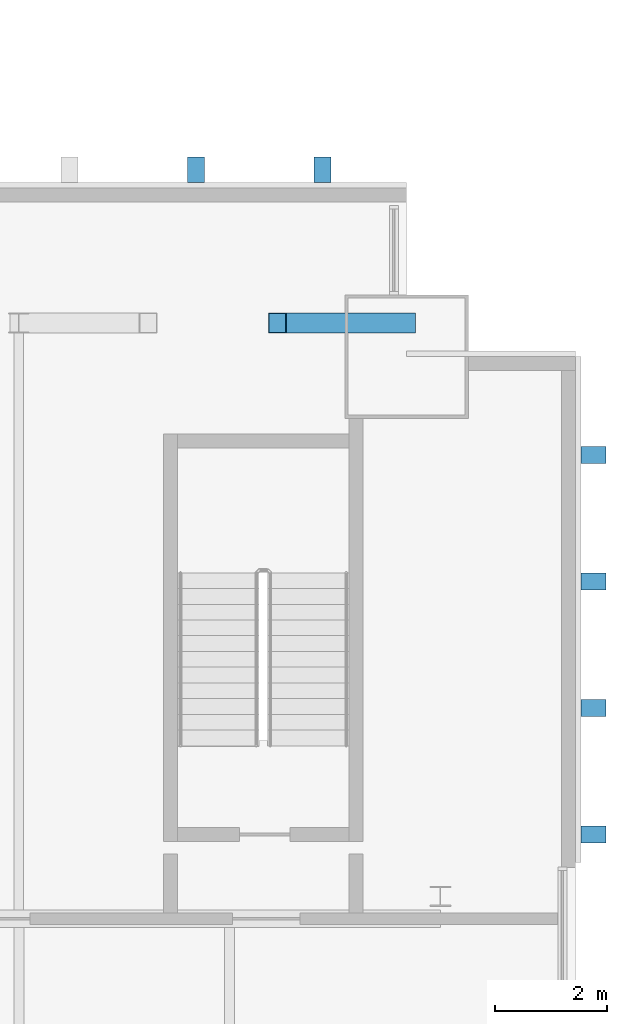
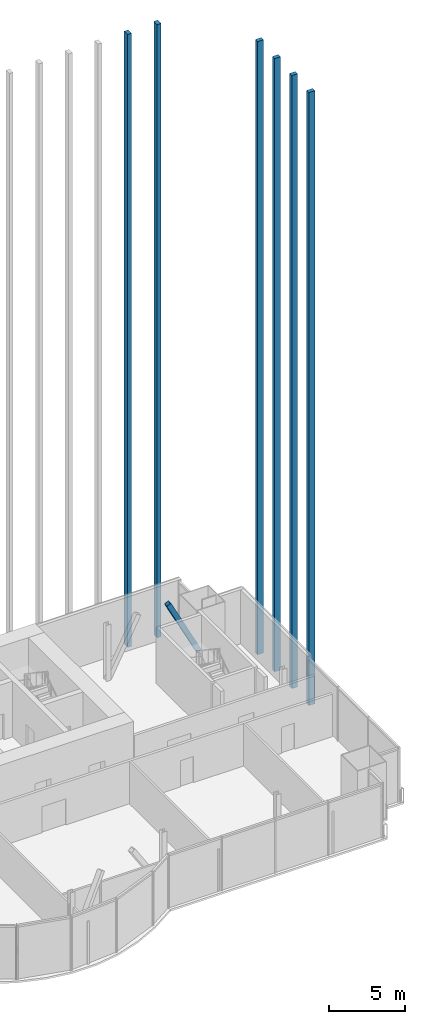
# One storey, part 13 of 22: 7 members, 2 elements without a shape of their own.
"""IFC4 building model written with IfcOpenShell, lengths in metres."""

from ifc_helpers import new_model, si_unit, direction, frame, origin, origin_2d, place, context, subcontext, project, spatial, rectangle, hollow_rectangle, extrude, material, material_profile, profile_set, type_object, element, aggregate, save


model = new_model("IFC4")

# Units and contexts
model_context = context("Model", 3, precision=1e-05, world=origin(), true_north=direction((0.0, 1.0)))
body_context = subcontext(model_context, "Body", "Model", "MODEL_VIEW")
ifc_project = project(units=[si_unit("LENGTHUNIT", "METRE"), si_unit("AREAUNIT", "SQUARE_METRE"), si_unit("VOLUMEUNIT", "CUBIC_METRE"), si_unit("PLANEANGLEUNIT", "RADIAN"), si_unit("MASSUNIT", "GRAM", prefix="KILO")], contexts=[model_context])

# Site, building, storey
site_placement = place(None, origin())
site = spatial("IfcSite", under=ifc_project, at=site_placement, CompositionType="ELEMENT")
building_placement = place(site_placement, origin())
building = spatial("IfcBuilding", under=site, at=building_placement, Name="Bicima Exchange Tower", CompositionType="ELEMENT")
storey_placement = place(building_placement, frame((0.0, 0.0, 293.0)))
storey = spatial("IfcBuildingStorey", under=building, at=storey_placement, Name="L66", CompositionType="ELEMENT", Elevation=293.0)

# Member
ifc_material_1 = material(Name="Steel ASTM A572 Gr 50", Category="steel")
ifc_material_profile_1 = material_profile(ifc_material_1, hollow_rectangle(XDim=0.355712890625, YDim=0.355712890625, WallThickness=0.01171875, at=origin_2d()))
ifc_profile_set_1 = profile_set([ifc_material_profile_1], Name="Steel ASTM A572 Gr 50")
member_type_1 = type_object("IfcMemberType", Name="Mega brace HSS14x14x1/2", PredefinedType="BRACE", material=ifc_profile_set_1)
member_1_placement = place(storey_placement, frame((33.0, -2.39990234375, 0.0), z_axis=(-0.455118720355, 0.0, 0.890430766754), x_axis=(0.0, -1.0, 0.0)))
element("IfcMember", 1, at=member_1_placement, inside=storey, type_object=member_type_1, Name="Mega brace rear", PredefinedType="BRACE", context=body_context, shape_type="SweptSolid", body=[
    extrude(hollow_rectangle(XDim=0.355712890625, YDim=0.355712890625, WallThickness=0.01171875, at=origin_2d()), origin(), (0.0, 0.0, 1.0), 5.0537109375),
])

# Curtain wall, members
ifc_material_2 = material(Name="Anodised bronze aluminium", Category="aluminium")
curtain_wall_type = type_object("IfcCurtainWallType", Name="Rear blade screen", PredefinedType="NOTDEFINED", material=ifc_material_2)
curtain_wall_1_placement = place(storey_placement, origin())
curtain_wall_1 = element("IfcCurtainWall", 2, at=curtain_wall_1_placement, inside=storey, type_object=curtain_wall_type, Name="Rear blade screen L66-L76 E", PredefinedType="NOTDEFINED")
ifc_material_profile_2 = material_profile(ifc_material_2, rectangle(XDim=0.449951171875, YDim=0.300048828125, at=origin_2d()))
ifc_profile_set_2 = profile_set([ifc_material_profile_2], Name="Anodised bronze aluminium")
member_type_2 = type_object("IfcMemberType", Name="Rear blade fin 450 x 300", PredefinedType="USERDEFINED", material=ifc_profile_set_2)
member_2_placement = place(storey_placement, frame((29.25, 0.324951171875, 0.0), z_axis=(0.0, 0.0, 1.0), x_axis=(0.0, 1.0, 0.0)))
member_2 = element("IfcMember", 3, at=member_2_placement, type_object=member_type_2, Name="Rear blade fin L66-L76 18", ObjectType="FIN", PredefinedType="USERDEFINED", context=body_context, shape_type="SweptSolid", body=[
    extrude(rectangle(XDim=0.449951171875, YDim=0.300048828125, at=origin_2d()), origin(), (0.0, 0.0, 1.0), 49.300048828125),
])
member_3_placement = place(storey_placement, frame((31.5, 0.324951171875, 0.0), z_axis=(0.0, 0.0, 1.0), x_axis=(0.0, 1.0, 0.0)))
member_3 = element("IfcMember", 4, at=member_3_placement, type_object=member_type_2, Name="Rear blade fin L66-L76 19", ObjectType="FIN", PredefinedType="USERDEFINED", context=body_context, shape_type="SweptSolid", body=[
    extrude(rectangle(XDim=0.449951171875, YDim=0.300048828125, at=origin_2d()), origin(), (0.0, 0.0, 1.0), 49.300048828125),
])
aggregate(curtain_wall_1, [member_2, member_3])

curtain_wall_2_placement = place(storey_placement, origin())
curtain_wall_2 = element("IfcCurtainWall", 5, at=curtain_wall_2_placement, inside=storey, type_object=curtain_wall_type, Name="End blade screen L66-L76", PredefinedType="NOTDEFINED")
member_4_placement = place(storey_placement, frame((36.324951171875, -11.5, 0.0), z_axis=(0.0, 0.0, 1.0), x_axis=(1.0, 0.0, 0.0)))
member_4 = element("IfcMember", 6, at=member_4_placement, type_object=member_type_2, Name="End blade fin L66-L76 1", ObjectType="FIN", PredefinedType="USERDEFINED", context=body_context, shape_type="SweptSolid", body=[
    extrude(rectangle(XDim=0.449951171875, YDim=0.300048828125, at=origin_2d()), origin(), (0.0, 0.0, 1.0), 49.300048828125),
])
member_5_placement = place(storey_placement, frame((36.324951171875, -9.25, 0.0), z_axis=(0.0, 0.0, 1.0), x_axis=(1.0, 0.0, 0.0)))
member_5 = element("IfcMember", 7, at=member_5_placement, type_object=member_type_2, Name="End blade fin L66-L76 2", ObjectType="FIN", PredefinedType="USERDEFINED", context=body_context, shape_type="SweptSolid", body=[
    extrude(rectangle(XDim=0.449951171875, YDim=0.300048828125, at=origin_2d()), origin(), (0.0, 0.0, 1.0), 49.300048828125),
])
member_6_placement = place(storey_placement, frame((36.324951171875, -7.0, 0.0), z_axis=(0.0, 0.0, 1.0), x_axis=(1.0, 0.0, 0.0)))
member_6 = element("IfcMember", 8, at=member_6_placement, type_object=member_type_2, Name="End blade fin L66-L76 3", ObjectType="FIN", PredefinedType="USERDEFINED", context=body_context, shape_type="SweptSolid", body=[
    extrude(rectangle(XDim=0.449951171875, YDim=0.300048828125, at=origin_2d()), origin(), (0.0, 0.0, 1.0), 49.300048828125),
])
member_7_placement = place(storey_placement, frame((36.324951171875, -4.75, 0.0), z_axis=(0.0, 0.0, 1.0), x_axis=(1.0, 0.0, 0.0)))
member_7 = element("IfcMember", 9, at=member_7_placement, type_object=member_type_2, Name="End blade fin L66-L76 4", ObjectType="FIN", PredefinedType="USERDEFINED", context=body_context, shape_type="SweptSolid", body=[
    extrude(rectangle(XDim=0.449951171875, YDim=0.300048828125, at=origin_2d()), origin(), (0.0, 0.0, 1.0), 49.300048828125),
])
aggregate(curtain_wall_2, [member_4, member_5, member_6, member_7])

save(model, "model.ifc")
